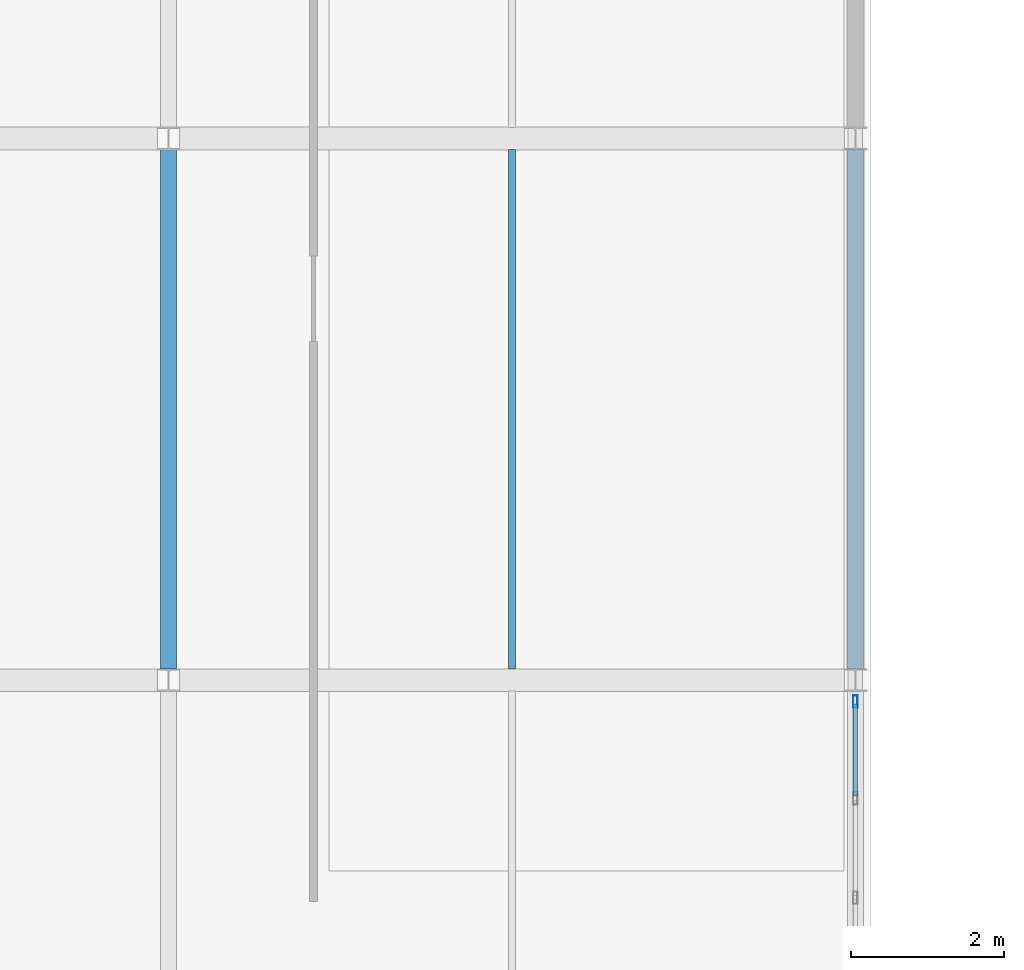
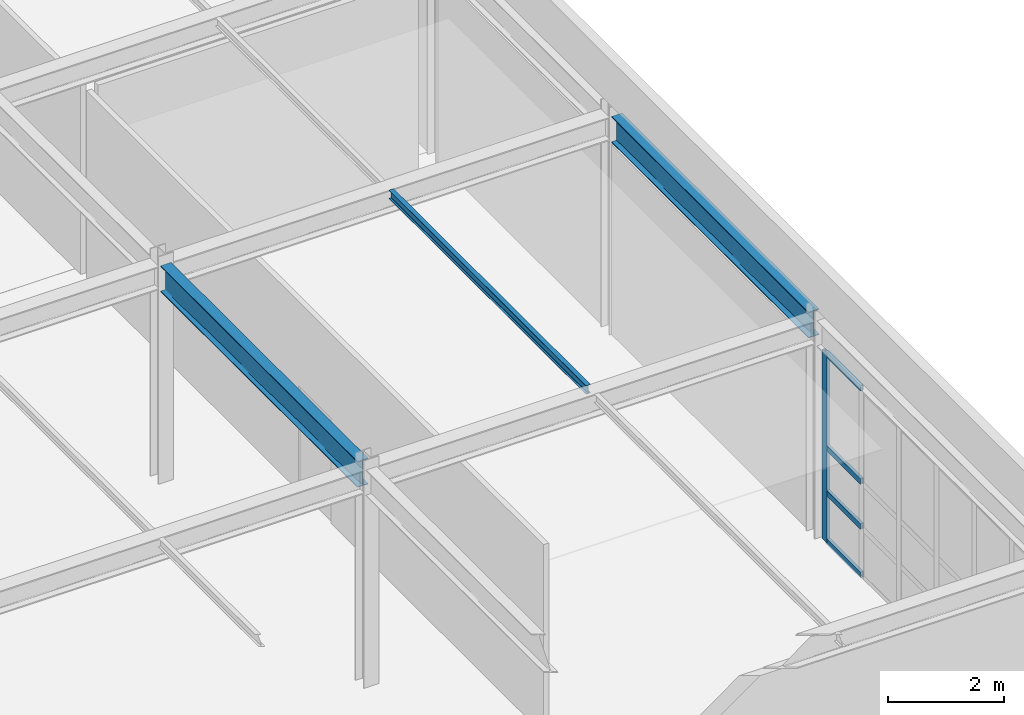
# One storey, part 24 of 38: 5 members, 3 beams, 1 element without a shape of its own.
"""IFC4 building model written with IfcOpenShell, lengths in metres."""

from ifc_helpers import new_model, si_unit, direction, frame, origin, origin_2d, place, context, subcontext, project, spatial, hollow_rectangle, i_section, extrude, material, material_profile, profile_set, type_object, element, aggregate, save


model = new_model("IFC4")

# Units and contexts
model_context = context("Model", 3, precision=1e-05, world=origin(), true_north=direction((0.0, 1.0)))
body_context = subcontext(model_context, "Body", "Model", "MODEL_VIEW")
ifc_project = project(units=[si_unit("LENGTHUNIT", "METRE"), si_unit("AREAUNIT", "SQUARE_METRE"), si_unit("VOLUMEUNIT", "CUBIC_METRE"), si_unit("PLANEANGLEUNIT", "RADIAN"), si_unit("MASSUNIT", "GRAM", prefix="KILO")], contexts=[model_context])

# Site, building, storey
site_placement = place(None, origin())
site = spatial("IfcSite", under=ifc_project, at=site_placement, CompositionType="ELEMENT")
building_placement = place(site_placement, origin())
building = spatial("IfcBuilding", under=site, at=building_placement, Name="Kaldris Quays Convention Centre", CompositionType="ELEMENT")
storey_placement = place(building_placement, frame((0.0, 0.0, 21.60009765625)))
storey = spatial("IfcBuildingStorey", under=building, at=storey_placement, Name="L04", CompositionType="ELEMENT", Elevation=21.60009765625)

# Curtain wall, members
ifc_material_1 = material(Name="Anodized aluminium AW-6060 and triple glazing", Category="aluminium")
curtain_wall_type = type_object("IfcCurtainWallType", Name="UNITISED CURTAIN WALL CW04", PredefinedType="NOTDEFINED", material=ifc_material_1)
curtain_wall_placement = place(storey_placement, origin())
curtain_wall = element("IfcCurtainWall", 1, at=curtain_wall_placement, inside=storey, type_object=curtain_wall_type, Name="L04 Unitised Curtain Wall CW04 150", PredefinedType="NOTDEFINED")
ifc_material_2 = material(Name="Anodized aluminium AW-6060", Category="aluminium")
ifc_material_profile_1 = material_profile(ifc_material_2, hollow_rectangle(XDim=0.06005859375, YDim=0.159912109375, WallThickness=0.00390625, at=origin_2d()), Name="RHS 160x60x4")
ifc_profile_set_1 = profile_set([ifc_material_profile_1], Name="Anodized aluminium AW-6060")
member_type_1 = type_object("IfcMemberType", Name="CURTAIN MULLION CWM1", PredefinedType="MULLION", material=ifc_profile_set_1)
member_1_placement = place(storey_placement, frame((164.0, 54.6201171875, 0.0), z_axis=(0.0, 0.0, 1.0), x_axis=(-1.0, 0.0, 0.0)))
member_1 = element("IfcMember", 2, at=member_1_placement, type_object=member_type_1, Name="CW04 mullion 7", PredefinedType="MULLION", context=body_context, shape_type="SweptSolid", body=[
    extrude(hollow_rectangle(XDim=0.06005859375, YDim=0.159912109375, WallThickness=0.00390625, at=origin_2d()), origin(), (0.0, 0.0, 1.0), 4.0),
])
ifc_material_profile_2 = material_profile(ifc_material_2, hollow_rectangle(XDim=0.06005859375, YDim=0.1201171875, WallThickness=0.00390625, at=origin_2d()), Name="RHS 120x60x4")
ifc_profile_set_2 = profile_set([ifc_material_profile_2], Name="Anodized aluminium AW-6060")
member_type_2 = type_object("IfcMemberType", Name="CURTAIN TRANSOM CWT1", PredefinedType="USERDEFINED", material=ifc_profile_set_2)
member_2_placement = place(storey_placement, frame((164.0, 53.3798828125, 0.02978515625), z_axis=(0.0, 1.0, 0.0), x_axis=(-1.0, 0.0, 0.0)))
member_2 = element("IfcMember", 3, at=member_2_placement, type_object=member_type_2, Name="CW04 transom 6.1", ObjectType="TRANSOM", PredefinedType="USERDEFINED", context=body_context, shape_type="SweptSolid", body=[
    extrude(hollow_rectangle(XDim=0.06005859375, YDim=0.1201171875, WallThickness=0.00390625, at=origin_2d()), origin(), (0.0, 0.0, 1.0), 1.210205078125),
])
member_3_placement = place(storey_placement, frame((164.0, 53.3798828125, 1.0498046875), z_axis=(0.0, 1.0, 0.0), x_axis=(-1.0, 0.0, 0.0)))
member_3 = element("IfcMember", 4, at=member_3_placement, type_object=member_type_2, Name="CW04 transom 6.2", ObjectType="TRANSOM", PredefinedType="USERDEFINED", context=body_context, shape_type="SweptSolid", body=[
    extrude(hollow_rectangle(XDim=0.06005859375, YDim=0.1201171875, WallThickness=0.00390625, at=origin_2d()), origin(), (0.0, 0.0, 1.0), 1.210205078125),
])
member_4_placement = place(storey_placement, frame((164.0, 53.3798828125, 2.0), z_axis=(0.0, 1.0, 0.0), x_axis=(-1.0, 0.0, 0.0)))
member_4 = element("IfcMember", 5, at=member_4_placement, type_object=member_type_2, Name="CW04 transom 6.3", ObjectType="TRANSOM", PredefinedType="USERDEFINED", context=body_context, shape_type="SweptSolid", body=[
    extrude(hollow_rectangle(XDim=0.06005859375, YDim=0.1201171875, WallThickness=0.00390625, at=origin_2d()), origin(), (0.0, 0.0, 1.0), 1.210205078125),
])
member_5_placement = place(storey_placement, frame((164.0, 53.3798828125, 3.969970703125), z_axis=(0.0, 1.0, 0.0), x_axis=(-1.0, 0.0, 0.0)))
member_5 = element("IfcMember", 6, at=member_5_placement, type_object=member_type_2, Name="CW04 transom 6.4", ObjectType="TRANSOM", PredefinedType="USERDEFINED", context=body_context, shape_type="SweptSolid", body=[
    extrude(hollow_rectangle(XDim=0.06005859375, YDim=0.1201171875, WallThickness=0.00390625, at=origin_2d()), origin(), (0.0, 0.0, 1.0), 1.210205078125),
])
aggregate(curtain_wall, [member_1, member_2, member_3, member_4, member_5])

# Beams
ifc_material_3 = material(Name="Steel S355J2", Category="steel")
ifc_material_profile_3 = material_profile(ifc_material_3, i_section(OverallWidth=0.2099609375, OverallDepth=0.550048828125, WebThickness=0.010986328125, FlangeThickness=0.01708984375, FilletRadius=0.02392578125, at=origin_2d()), Name="IPE 550")
ifc_profile_set_3 = profile_set([ifc_material_profile_3], Name="Steel S355J2")
beam_type_1 = type_object("IfcBeamType", Name="STRUCTURAL BEAM BM11", PredefinedType="BEAM", material=ifc_profile_set_3)
for number, where, z_axis, x_axis, name in (
    (7, (155.0, 55.0439453125, 4.31787109375), (0.0, 1.0, 0.0), (-1.0, 0.0, 0.0), "L04 Girder BM11 57"),
    (8, (164.0, 55.0439453125, 4.31787109375), (0.0, 1.0, 0.0), (-1.0, 0.0, 0.0), "L04 Girder BM11 66"),
):
    element("IfcBeam", number, at=place(storey_placement, frame(where, z_axis=z_axis, x_axis=x_axis)), inside=storey, type_object=beam_type_1, Name=name, PredefinedType="BEAM", context=body_context, shape_type="SweptSolid", body=[
        extrude(i_section(OverallWidth=0.2099609375, OverallDepth=0.550048828125, WebThickness=0.010986328125, FlangeThickness=0.01708984375, FilletRadius=0.02392578125, at=origin_2d()), origin(), (0.0, 0.0, 1.0), 6.81201171875),
    ])
ifc_material_profile_4 = material_profile(ifc_material_3, i_section(OverallWidth=0.091064453125, OverallDepth=0.179931640625, WebThickness=0.00537109375, FlangeThickness=0.008056640625, FilletRadius=0.009033203125, at=origin_2d()), Name="IPE 180")
ifc_profile_set_4 = profile_set([ifc_material_profile_4], Name="Steel S355J2")
beam_type_2 = type_object("IfcBeamType", Name="STRUCTURAL BEAM JT10", PredefinedType="JOIST", material=ifc_profile_set_4)
beam_placement = place(storey_placement, frame((159.5, 55.0439453125, 4.5029296875), z_axis=(0.0, 1.0, 0.0), x_axis=(-1.0, 0.0, 0.0)))
element("IfcBeam", 9, at=beam_placement, inside=storey, type_object=beam_type_2, Name="L04 Secondary Joist JT10 12", PredefinedType="JOIST", context=body_context, shape_type="SweptSolid", body=[
    extrude(i_section(OverallWidth=0.091064453125, OverallDepth=0.179931640625, WebThickness=0.00537109375, FlangeThickness=0.008056640625, FilletRadius=0.009033203125, at=origin_2d()), origin(), (0.0, 0.0, 1.0), 6.81201171875),
])

save(model, "model.ifc")
